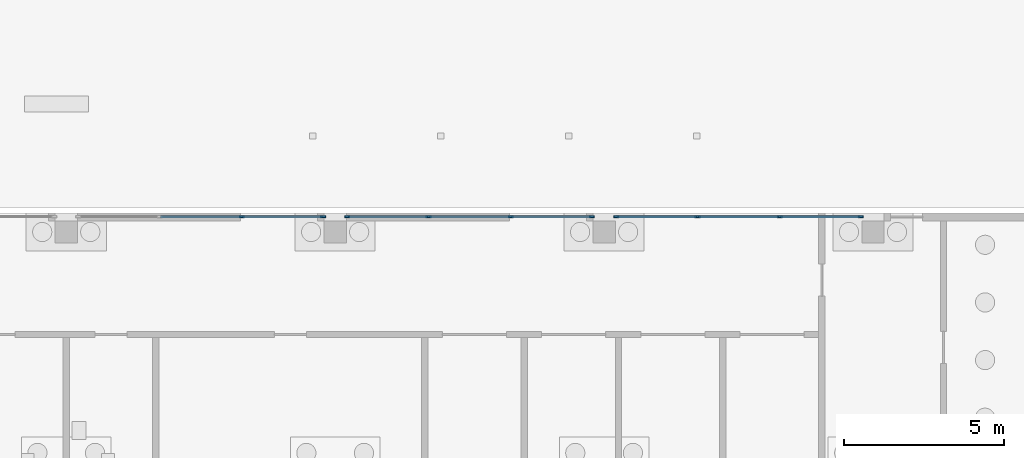
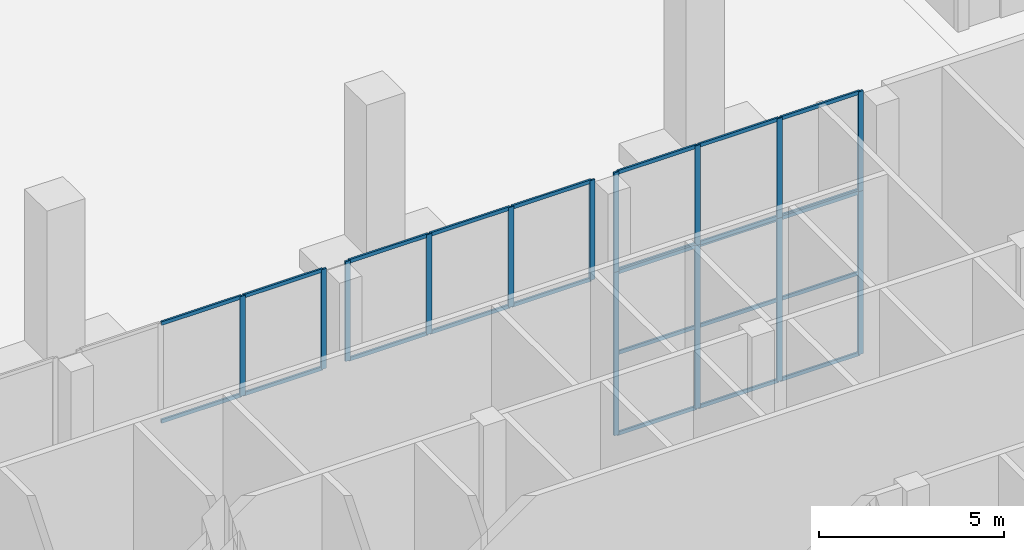
# One storey, part 11 of 46: 39 members, 4 elements without a shape of their own.
"""IFC4 building model written with IfcOpenShell, lengths in metres."""

from ifc_helpers import new_model, si_unit, direction, frame, origin, origin_2d, place, context, subcontext, project, spatial, rectangle, extrude, material, layer, layer_set, material_profile, profile_set, type_object, element, aggregate, save


model = new_model("IFC4")

# Units and contexts
model_context = context("Model", 3, precision=1e-05, world=origin(), true_north=direction((0.0, 1.0)))
body_context = subcontext(model_context, "Body", "Model", "MODEL_VIEW")
ifc_project = project(units=[si_unit("LENGTHUNIT", "METRE"), si_unit("AREAUNIT", "SQUARE_METRE"), si_unit("VOLUMEUNIT", "CUBIC_METRE"), si_unit("PLANEANGLEUNIT", "RADIAN"), si_unit("MASSUNIT", "GRAM", prefix="KILO")], contexts=[model_context])

# Site, building, storey
site_placement = place(None, origin())
site = spatial("IfcSite", under=ifc_project, at=site_placement, CompositionType="ELEMENT")
building_placement = place(site_placement, origin())
building = spatial("IfcBuilding", under=site, at=building_placement, Name="Vermilion Gate Residences", CompositionType="ELEMENT")
storey_placement = place(building_placement, origin())
storey = spatial("IfcBuildingStorey", under=building, at=storey_placement, Name="L00", CompositionType="ELEMENT", Elevation=0.0)

# Curtain wall, members
ifc_material_1 = material(Name="Aluminium and glass", Category="aluminium")
ifc_layer_1 = layer(ifc_material_1, 0.159912109375)
ifc_layer_set_1 = layer_set([ifc_layer_1], Name="CLERESTORY CURTAIN WALL (MARKET HALL)")
curtain_wall_type_1 = type_object("IfcCurtainWallType", Name="CLERESTORY CURTAIN WALL (MARKET HALL)", PredefinedType="NOTDEFINED", material=ifc_layer_set_1)
curtain_wall_1_placement = place(storey_placement, origin())
curtain_wall_1 = element("IfcCurtainWall", 1, at=curtain_wall_1_placement, inside=storey, type_object=curtain_wall_type_1, Name="Clerestory glazing", PredefinedType="NOTDEFINED")
ifc_material_2 = material(Name="Aluminium", Category="aluminium")
ifc_material_profile_1 = material_profile(ifc_material_2, rectangle(XDim=0.06005859375, YDim=0.159912109375, at=origin_2d()), Name="ALUMINIUM MULLION 60 X 160 (MARKET HALL)")
ifc_profile_set_1 = profile_set([ifc_material_profile_1], Name="Aluminium")
member_type_1 = type_object("IfcMemberType", Name="ALUMINIUM MULLION 60 X 160 (MARKET HALL)", PredefinedType="MULLION", material=ifc_profile_set_1)
member_1_placement = place(storey_placement, frame((89.783447265625, 33.47509765625, 5.39990234375), z_axis=(0.0, 0.0, 1.0), x_axis=(0.0, 1.0, 0.0)))
member_1 = element("IfcMember", 2, at=member_1_placement, type_object=member_type_1, Name="HC4 mullion 3", PredefinedType="MULLION", context=body_context, shape_type="SweptSolid", body=[
    extrude(rectangle(XDim=0.06005859375, YDim=0.159912109375, at=origin_2d()), origin(), (0.0, 0.0, 1.0), 3.300048828125),
])
member_2_placement = place(storey_placement, frame((92.320068359375, 33.47509765625, 5.39990234375), z_axis=(0.0, 0.0, 1.0), x_axis=(0.0, 1.0, 0.0)))
member_2 = element("IfcMember", 3, at=member_2_placement, type_object=member_type_1, Name="HC4 mullion 4", PredefinedType="MULLION", context=body_context, shape_type="SweptSolid", body=[
    extrude(rectangle(XDim=0.06005859375, YDim=0.159912109375, at=origin_2d()), origin(), (0.0, 0.0, 1.0), 3.300048828125),
])

curtain_wall_2_placement = place(storey_placement, origin())
curtain_wall_2 = element("IfcCurtainWall", 4, at=curtain_wall_2_placement, inside=storey, type_object=curtain_wall_type_1, Name="Clerestory glazing", PredefinedType="NOTDEFINED")
member_3_placement = place(storey_placement, frame((93.080078125, 33.47509765625, 5.39990234375), z_axis=(0.0, 0.0, 1.0), x_axis=(0.0, 1.0, 0.0)))
member_3 = element("IfcMember", 5, at=member_3_placement, type_object=member_type_1, Name="HC4 mullion 1", PredefinedType="MULLION", context=body_context, shape_type="SweptSolid", body=[
    extrude(rectangle(XDim=0.06005859375, YDim=0.159912109375, at=origin_2d()), origin(), (0.0, 0.0, 1.0), 3.300048828125),
])
member_4_placement = place(storey_placement, frame((95.61669921875, 33.47509765625, 5.39990234375), z_axis=(0.0, 0.0, 1.0), x_axis=(0.0, 1.0, 0.0)))
member_4 = element("IfcMember", 6, at=member_4_placement, type_object=member_type_1, Name="HC4 mullion 2", PredefinedType="MULLION", context=body_context, shape_type="SweptSolid", body=[
    extrude(rectangle(XDim=0.06005859375, YDim=0.159912109375, at=origin_2d()), origin(), (0.0, 0.0, 1.0), 3.300048828125),
])
member_5_placement = place(storey_placement, frame((98.183349609375, 33.47509765625, 5.39990234375), z_axis=(0.0, 0.0, 1.0), x_axis=(0.0, 1.0, 0.0)))
member_5 = element("IfcMember", 7, at=member_5_placement, type_object=member_type_1, Name="HC4 mullion 3", PredefinedType="MULLION", context=body_context, shape_type="SweptSolid", body=[
    extrude(rectangle(XDim=0.06005859375, YDim=0.159912109375, at=origin_2d()), origin(), (0.0, 0.0, 1.0), 3.300048828125),
])
member_6_placement = place(storey_placement, frame((100.719970703125, 33.47509765625, 5.39990234375), z_axis=(0.0, 0.0, 1.0), x_axis=(0.0, 1.0, 0.0)))
member_6 = element("IfcMember", 8, at=member_6_placement, type_object=member_type_1, Name="HC4 mullion 4", PredefinedType="MULLION", context=body_context, shape_type="SweptSolid", body=[
    extrude(rectangle(XDim=0.06005859375, YDim=0.159912109375, at=origin_2d()), origin(), (0.0, 0.0, 1.0), 3.300048828125),
])

ifc_material_3 = material(Name="Aluminium and glass", Category="aluminium")
ifc_layer_2 = layer(ifc_material_3, 0.159912109375)
ifc_layer_set_2 = layer_set([ifc_layer_2], Name="SHOPFRONT CURTAIN WALL (MARKET HALL)")
curtain_wall_type_2 = type_object("IfcCurtainWallType", Name="SHOPFRONT CURTAIN WALL (MARKET HALL)", PredefinedType="NOTDEFINED", material=ifc_layer_set_2)
curtain_wall_3_placement = place(storey_placement, origin())
curtain_wall_3 = element("IfcCurtainWall", 9, at=curtain_wall_3_placement, inside=storey, type_object=curtain_wall_type_2, Name="Shopfront glazing", PredefinedType="NOTDEFINED")
member_7_placement = place(storey_placement, frame((101.47998046875, 33.47509765625, 0.0), z_axis=(0.0, 0.0, 1.0), x_axis=(0.0, 1.0, 0.0)))
member_7 = element("IfcMember", 10, at=member_7_placement, type_object=member_type_1, Name="HC3 mullion 1", PredefinedType="MULLION", context=body_context, shape_type="SweptSolid", body=[
    extrude(rectangle(XDim=0.06005859375, YDim=0.159912109375, at=origin_2d()), origin(), (0.0, 0.0, 1.0), 5.39990234375),
])
member_8_placement = place(storey_placement, frame((104.0166015625, 33.47509765625, 0.0), z_axis=(0.0, 0.0, 1.0), x_axis=(0.0, 1.0, 0.0)))
member_8 = element("IfcMember", 11, at=member_8_placement, type_object=member_type_1, Name="HC3 mullion 2", PredefinedType="MULLION", context=body_context, shape_type="SweptSolid", body=[
    extrude(rectangle(XDim=0.06005859375, YDim=0.159912109375, at=origin_2d()), origin(), (0.0, 0.0, 1.0), 5.39990234375),
])
member_9_placement = place(storey_placement, frame((106.583251953125, 33.47509765625, 0.0), z_axis=(0.0, 0.0, 1.0), x_axis=(0.0, 1.0, 0.0)))
member_9 = element("IfcMember", 12, at=member_9_placement, type_object=member_type_1, Name="HC3 mullion 3", PredefinedType="MULLION", context=body_context, shape_type="SweptSolid", body=[
    extrude(rectangle(XDim=0.06005859375, YDim=0.159912109375, at=origin_2d()), origin(), (0.0, 0.0, 1.0), 5.39990234375),
])
member_10_placement = place(storey_placement, frame((109.1201171875, 33.47509765625, 0.0), z_axis=(0.0, 0.0, 1.0), x_axis=(0.0, 1.0, 0.0)))
member_10 = element("IfcMember", 13, at=member_10_placement, type_object=member_type_1, Name="HC3 mullion 4", PredefinedType="MULLION", context=body_context, shape_type="SweptSolid", body=[
    extrude(rectangle(XDim=0.06005859375, YDim=0.159912109375, at=origin_2d()), origin(), (0.0, 0.0, 1.0), 5.39990234375),
])

curtain_wall_4_placement = place(storey_placement, origin())
curtain_wall_4 = element("IfcCurtainWall", 14, at=curtain_wall_4_placement, inside=storey, type_object=curtain_wall_type_1, Name="Clerestory glazing", PredefinedType="NOTDEFINED")
member_11_placement = place(storey_placement, frame((101.47998046875, 33.47509765625, 5.39990234375), z_axis=(0.0, 0.0, 1.0), x_axis=(0.0, 1.0, 0.0)))
member_11 = element("IfcMember", 15, at=member_11_placement, type_object=member_type_1, Name="HC4 mullion 1", PredefinedType="MULLION", context=body_context, shape_type="SweptSolid", body=[
    extrude(rectangle(XDim=0.06005859375, YDim=0.159912109375, at=origin_2d()), origin(), (0.0, 0.0, 1.0), 3.300048828125),
])
member_12_placement = place(storey_placement, frame((104.0166015625, 33.47509765625, 5.39990234375), z_axis=(0.0, 0.0, 1.0), x_axis=(0.0, 1.0, 0.0)))
member_12 = element("IfcMember", 16, at=member_12_placement, type_object=member_type_1, Name="HC4 mullion 2", PredefinedType="MULLION", context=body_context, shape_type="SweptSolid", body=[
    extrude(rectangle(XDim=0.06005859375, YDim=0.159912109375, at=origin_2d()), origin(), (0.0, 0.0, 1.0), 3.300048828125),
])
member_13_placement = place(storey_placement, frame((106.583251953125, 33.47509765625, 5.39990234375), z_axis=(0.0, 0.0, 1.0), x_axis=(0.0, 1.0, 0.0)))
member_13 = element("IfcMember", 17, at=member_13_placement, type_object=member_type_1, Name="HC4 mullion 3", PredefinedType="MULLION", context=body_context, shape_type="SweptSolid", body=[
    extrude(rectangle(XDim=0.06005859375, YDim=0.159912109375, at=origin_2d()), origin(), (0.0, 0.0, 1.0), 3.300048828125),
])
member_14_placement = place(storey_placement, frame((109.1201171875, 33.47509765625, 5.39990234375), z_axis=(0.0, 0.0, 1.0), x_axis=(0.0, 1.0, 0.0)))
member_14 = element("IfcMember", 18, at=member_14_placement, type_object=member_type_1, Name="HC4 mullion 4", PredefinedType="MULLION", context=body_context, shape_type="SweptSolid", body=[
    extrude(rectangle(XDim=0.06005859375, YDim=0.159912109375, at=origin_2d()), origin(), (0.0, 0.0, 1.0), 3.300048828125),
])

# Member
ifc_material_4 = material(Name="Aluminium", Category="aluminium")
ifc_material_profile_2 = material_profile(ifc_material_4, rectangle(XDim=0.06005859375, YDim=0.1201171875, at=origin_2d()), Name="ALUMINIUM TRANSOM 60 X 120 (MARKET HALL)")
ifc_profile_set_2 = profile_set([ifc_material_profile_2], Name="Aluminium")
member_type_2 = type_object("IfcMemberType", Name="ALUMINIUM TRANSOM 60 X 120 (MARKET HALL)", PredefinedType="MULLION", material=ifc_profile_set_2)
member_15_placement = place(storey_placement, frame((87.24658203125, 33.47509765625, 5.429931640625), z_axis=(1.0, 0.0, 0.0), x_axis=(0.0, 1.0, 0.0)))
member_15 = element("IfcMember", 19, at=member_15_placement, type_object=member_type_2, Name="HC4 transom 2.1", PredefinedType="MULLION", context=body_context, shape_type="SweptSolid", body=[
    extrude(rectangle(XDim=0.06005859375, YDim=0.1201171875, at=origin_2d()), origin(), (0.0, 0.0, 1.0), 2.5068359375),
])

member_16_placement = place(storey_placement, frame((87.24658203125, 33.47509765625, 8.669921875), z_axis=(1.0, 0.0, 0.0), x_axis=(0.0, 1.0, 0.0)))
member_16 = element("IfcMember", 20, at=member_16_placement, type_object=member_type_2, Name="HC4 transom 2.2", PredefinedType="MULLION", context=body_context, shape_type="SweptSolid", body=[
    extrude(rectangle(XDim=0.06005859375, YDim=0.1201171875, at=origin_2d()), origin(), (0.0, 0.0, 1.0), 2.5068359375),
])

member_17_placement = place(storey_placement, frame((89.813232421875, 33.47509765625, 5.429931640625), z_axis=(1.0, 0.0, 0.0), x_axis=(0.0, 1.0, 0.0)))
member_17 = element("IfcMember", 21, at=member_17_placement, type_object=member_type_2, Name="HC4 transom 3.1", PredefinedType="MULLION", context=body_context, shape_type="SweptSolid", body=[
    extrude(rectangle(XDim=0.06005859375, YDim=0.1201171875, at=origin_2d()), origin(), (0.0, 0.0, 1.0), 2.476806640625),
])

member_18_placement = place(storey_placement, frame((89.813232421875, 33.47509765625, 8.669921875), z_axis=(1.0, 0.0, 0.0), x_axis=(0.0, 1.0, 0.0)))
member_18 = element("IfcMember", 22, at=member_18_placement, type_object=member_type_2, Name="HC4 transom 3.2", PredefinedType="MULLION", context=body_context, shape_type="SweptSolid", body=[
    extrude(rectangle(XDim=0.06005859375, YDim=0.1201171875, at=origin_2d()), origin(), (0.0, 0.0, 1.0), 2.476806640625),
])

aggregate(curtain_wall_1, [member_1, member_2, member_15, member_16, member_17, member_18])

member_19_placement = place(storey_placement, frame((93.110107421875, 33.47509765625, 5.429931640625), z_axis=(1.0, 0.0, 0.0), x_axis=(0.0, 1.0, 0.0)))
member_19 = element("IfcMember", 23, at=member_19_placement, type_object=member_type_2, Name="HC4 transom 1.1", PredefinedType="MULLION", context=body_context, shape_type="SweptSolid", body=[
    extrude(rectangle(XDim=0.06005859375, YDim=0.1201171875, at=origin_2d()), origin(), (0.0, 0.0, 1.0), 2.4765625),
])

member_20_placement = place(storey_placement, frame((93.110107421875, 33.47509765625, 8.669921875), z_axis=(1.0, 0.0, 0.0), x_axis=(0.0, 1.0, 0.0)))
member_20 = element("IfcMember", 24, at=member_20_placement, type_object=member_type_2, Name="HC4 transom 1.2", PredefinedType="MULLION", context=body_context, shape_type="SweptSolid", body=[
    extrude(rectangle(XDim=0.06005859375, YDim=0.1201171875, at=origin_2d()), origin(), (0.0, 0.0, 1.0), 2.4765625),
])

member_21_placement = place(storey_placement, frame((95.646728515625, 33.47509765625, 5.429931640625), z_axis=(1.0, 0.0, 0.0), x_axis=(0.0, 1.0, 0.0)))
member_21 = element("IfcMember", 25, at=member_21_placement, type_object=member_type_2, Name="HC4 transom 2.1", PredefinedType="MULLION", context=body_context, shape_type="SweptSolid", body=[
    extrude(rectangle(XDim=0.06005859375, YDim=0.1201171875, at=origin_2d()), origin(), (0.0, 0.0, 1.0), 2.506591796875),
])

member_22_placement = place(storey_placement, frame((95.646728515625, 33.47509765625, 8.669921875), z_axis=(1.0, 0.0, 0.0), x_axis=(0.0, 1.0, 0.0)))
member_22 = element("IfcMember", 26, at=member_22_placement, type_object=member_type_2, Name="HC4 transom 2.2", PredefinedType="MULLION", context=body_context, shape_type="SweptSolid", body=[
    extrude(rectangle(XDim=0.06005859375, YDim=0.1201171875, at=origin_2d()), origin(), (0.0, 0.0, 1.0), 2.506591796875),
])

member_23_placement = place(storey_placement, frame((98.21337890625, 33.47509765625, 5.429931640625), z_axis=(1.0, 0.0, 0.0), x_axis=(0.0, 1.0, 0.0)))
member_23 = element("IfcMember", 27, at=member_23_placement, type_object=member_type_2, Name="HC4 transom 3.1", PredefinedType="MULLION", context=body_context, shape_type="SweptSolid", body=[
    extrude(rectangle(XDim=0.06005859375, YDim=0.1201171875, at=origin_2d()), origin(), (0.0, 0.0, 1.0), 2.4765625),
])

member_24_placement = place(storey_placement, frame((98.21337890625, 33.47509765625, 8.669921875), z_axis=(1.0, 0.0, 0.0), x_axis=(0.0, 1.0, 0.0)))
member_24 = element("IfcMember", 28, at=member_24_placement, type_object=member_type_2, Name="HC4 transom 3.2", PredefinedType="MULLION", context=body_context, shape_type="SweptSolid", body=[
    extrude(rectangle(XDim=0.06005859375, YDim=0.1201171875, at=origin_2d()), origin(), (0.0, 0.0, 1.0), 2.4765625),
])

aggregate(curtain_wall_2, [member_3, member_4, member_5, member_6, member_19, member_20, member_21, member_22, member_23, member_24])

member_25_placement = place(storey_placement, frame((101.510009765625, 33.47509765625, 0.030029296875), z_axis=(1.0, 0.0, 0.0), x_axis=(0.0, 1.0, 0.0)))
member_25 = element("IfcMember", 29, at=member_25_placement, type_object=member_type_2, Name="HC3 transom 1.1", PredefinedType="MULLION", context=body_context, shape_type="SweptSolid", body=[
    extrude(rectangle(XDim=0.06005859375, YDim=0.1201171875, at=origin_2d()), origin(), (0.0, 0.0, 1.0), 2.4765625),
])

member_26_placement = place(storey_placement, frame((101.510009765625, 33.47509765625, 2.699951171875), z_axis=(1.0, 0.0, 0.0), x_axis=(0.0, 1.0, 0.0)))
member_26 = element("IfcMember", 30, at=member_26_placement, type_object=member_type_2, Name="HC3 transom 1.2", PredefinedType="MULLION", context=body_context, shape_type="SweptSolid", body=[
    extrude(rectangle(XDim=0.06005859375, YDim=0.1201171875, at=origin_2d()), origin(), (0.0, 0.0, 1.0), 2.4765625),
])

member_27_placement = place(storey_placement, frame((101.510009765625, 33.47509765625, 5.3701171875), z_axis=(1.0, 0.0, 0.0), x_axis=(0.0, 1.0, 0.0)))
member_27 = element("IfcMember", 31, at=member_27_placement, type_object=member_type_2, Name="HC3 transom 1.3", PredefinedType="MULLION", context=body_context, shape_type="SweptSolid", body=[
    extrude(rectangle(XDim=0.06005859375, YDim=0.1201171875, at=origin_2d()), origin(), (0.0, 0.0, 1.0), 2.4765625),
])

member_28_placement = place(storey_placement, frame((104.046630859375, 33.47509765625, 0.030029296875), z_axis=(1.0, 0.0, 0.0), x_axis=(0.0, 1.0, 0.0)))
member_28 = element("IfcMember", 32, at=member_28_placement, type_object=member_type_2, Name="HC3 transom 2.1", PredefinedType="MULLION", context=body_context, shape_type="SweptSolid", body=[
    extrude(rectangle(XDim=0.06005859375, YDim=0.1201171875, at=origin_2d()), origin(), (0.0, 0.0, 1.0), 2.506591796875),
])

member_29_placement = place(storey_placement, frame((104.046630859375, 33.47509765625, 2.699951171875), z_axis=(1.0, 0.0, 0.0), x_axis=(0.0, 1.0, 0.0)))
member_29 = element("IfcMember", 33, at=member_29_placement, type_object=member_type_2, Name="HC3 transom 2.2", PredefinedType="MULLION", context=body_context, shape_type="SweptSolid", body=[
    extrude(rectangle(XDim=0.06005859375, YDim=0.1201171875, at=origin_2d()), origin(), (0.0, 0.0, 1.0), 2.506591796875),
])

member_30_placement = place(storey_placement, frame((104.046630859375, 33.47509765625, 5.3701171875), z_axis=(1.0, 0.0, 0.0), x_axis=(0.0, 1.0, 0.0)))
member_30 = element("IfcMember", 34, at=member_30_placement, type_object=member_type_2, Name="HC3 transom 2.3", PredefinedType="MULLION", context=body_context, shape_type="SweptSolid", body=[
    extrude(rectangle(XDim=0.06005859375, YDim=0.1201171875, at=origin_2d()), origin(), (0.0, 0.0, 1.0), 2.506591796875),
])

member_31_placement = place(storey_placement, frame((106.61328125, 33.47509765625, 0.030029296875), z_axis=(1.0, 0.0, 0.0), x_axis=(0.0, 1.0, 0.0)))
member_31 = element("IfcMember", 35, at=member_31_placement, type_object=member_type_2, Name="HC3 transom 3.1", PredefinedType="MULLION", context=body_context, shape_type="SweptSolid", body=[
    extrude(rectangle(XDim=0.06005859375, YDim=0.1201171875, at=origin_2d()), origin(), (0.0, 0.0, 1.0), 2.476806640625),
])

member_32_placement = place(storey_placement, frame((106.61328125, 33.47509765625, 2.699951171875), z_axis=(1.0, 0.0, 0.0), x_axis=(0.0, 1.0, 0.0)))
member_32 = element("IfcMember", 36, at=member_32_placement, type_object=member_type_2, Name="HC3 transom 3.2", PredefinedType="MULLION", context=body_context, shape_type="SweptSolid", body=[
    extrude(rectangle(XDim=0.06005859375, YDim=0.1201171875, at=origin_2d()), origin(), (0.0, 0.0, 1.0), 2.476806640625),
])

member_33_placement = place(storey_placement, frame((106.61328125, 33.47509765625, 5.3701171875), z_axis=(1.0, 0.0, 0.0), x_axis=(0.0, 1.0, 0.0)))
member_33 = element("IfcMember", 37, at=member_33_placement, type_object=member_type_2, Name="HC3 transom 3.3", PredefinedType="MULLION", context=body_context, shape_type="SweptSolid", body=[
    extrude(rectangle(XDim=0.06005859375, YDim=0.1201171875, at=origin_2d()), origin(), (0.0, 0.0, 1.0), 2.476806640625),
])

aggregate(curtain_wall_3, [member_7, member_8, member_9, member_10, member_25, member_26, member_27, member_28, member_29, member_30, member_31, member_32, member_33])

member_34_placement = place(storey_placement, frame((101.510009765625, 33.47509765625, 5.429931640625), z_axis=(1.0, 0.0, 0.0), x_axis=(0.0, 1.0, 0.0)))
member_34 = element("IfcMember", 38, at=member_34_placement, type_object=member_type_2, Name="HC4 transom 1.1", PredefinedType="MULLION", context=body_context, shape_type="SweptSolid", body=[
    extrude(rectangle(XDim=0.06005859375, YDim=0.1201171875, at=origin_2d()), origin(), (0.0, 0.0, 1.0), 2.4765625),
])

member_35_placement = place(storey_placement, frame((101.510009765625, 33.47509765625, 8.669921875), z_axis=(1.0, 0.0, 0.0), x_axis=(0.0, 1.0, 0.0)))
member_35 = element("IfcMember", 39, at=member_35_placement, type_object=member_type_2, Name="HC4 transom 1.2", PredefinedType="MULLION", context=body_context, shape_type="SweptSolid", body=[
    extrude(rectangle(XDim=0.06005859375, YDim=0.1201171875, at=origin_2d()), origin(), (0.0, 0.0, 1.0), 2.4765625),
])

member_36_placement = place(storey_placement, frame((104.046630859375, 33.47509765625, 5.429931640625), z_axis=(1.0, 0.0, 0.0), x_axis=(0.0, 1.0, 0.0)))
member_36 = element("IfcMember", 40, at=member_36_placement, type_object=member_type_2, Name="HC4 transom 2.1", PredefinedType="MULLION", context=body_context, shape_type="SweptSolid", body=[
    extrude(rectangle(XDim=0.06005859375, YDim=0.1201171875, at=origin_2d()), origin(), (0.0, 0.0, 1.0), 2.506591796875),
])

member_37_placement = place(storey_placement, frame((104.046630859375, 33.47509765625, 8.669921875), z_axis=(1.0, 0.0, 0.0), x_axis=(0.0, 1.0, 0.0)))
member_37 = element("IfcMember", 41, at=member_37_placement, type_object=member_type_2, Name="HC4 transom 2.2", PredefinedType="MULLION", context=body_context, shape_type="SweptSolid", body=[
    extrude(rectangle(XDim=0.06005859375, YDim=0.1201171875, at=origin_2d()), origin(), (0.0, 0.0, 1.0), 2.506591796875),
])

member_38_placement = place(storey_placement, frame((106.61328125, 33.47509765625, 5.429931640625), z_axis=(1.0, 0.0, 0.0), x_axis=(0.0, 1.0, 0.0)))
member_38 = element("IfcMember", 42, at=member_38_placement, type_object=member_type_2, Name="HC4 transom 3.1", PredefinedType="MULLION", context=body_context, shape_type="SweptSolid", body=[
    extrude(rectangle(XDim=0.06005859375, YDim=0.1201171875, at=origin_2d()), origin(), (0.0, 0.0, 1.0), 2.476806640625),
])

member_39_placement = place(storey_placement, frame((106.61328125, 33.47509765625, 8.669921875), z_axis=(1.0, 0.0, 0.0), x_axis=(0.0, 1.0, 0.0)))
member_39 = element("IfcMember", 43, at=member_39_placement, type_object=member_type_2, Name="HC4 transom 3.2", PredefinedType="MULLION", context=body_context, shape_type="SweptSolid", body=[
    extrude(rectangle(XDim=0.06005859375, YDim=0.1201171875, at=origin_2d()), origin(), (0.0, 0.0, 1.0), 2.476806640625),
])

aggregate(curtain_wall_4, [member_11, member_12, member_13, member_14, member_34, member_35, member_36, member_37, member_38, member_39])

save(model, "model.ifc")
